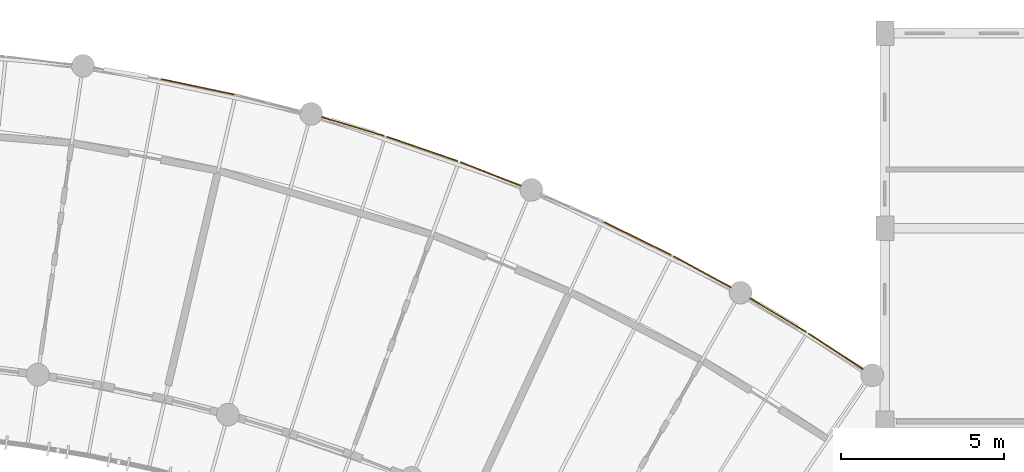
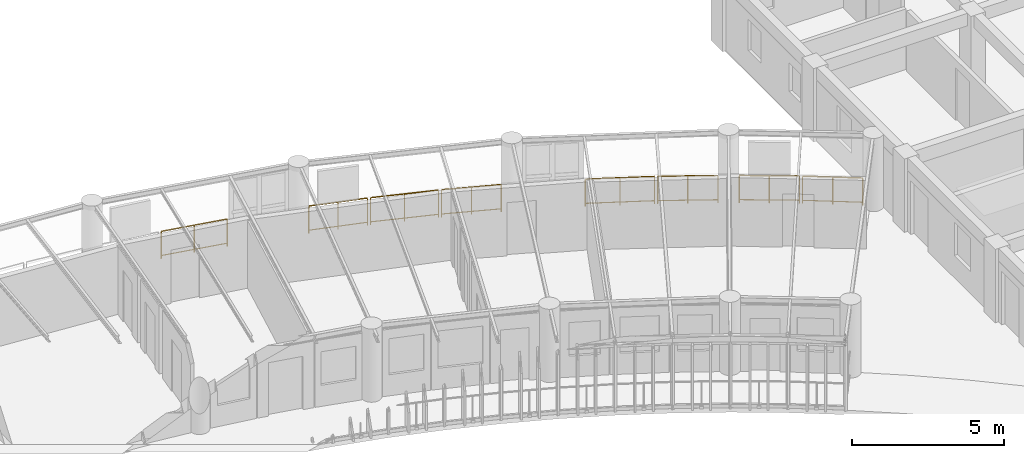
# One storey, part 123 of 123: 8 railings.
"""IFC4 building model written with IfcOpenShell, lengths in metres."""

from ifc_helpers import new_model, si_unit, direction, frame, origin, origin_2d, place, context, subcontext, project, spatial, circle, extrude, material, layer, layer_set, type_object, element, save


model = new_model("IFC4")

# Units and contexts
model_context = context("Model", 3, precision=1e-05, world=origin(), true_north=direction((0.0, 1.0)))
body_context = subcontext(model_context, "Body", "Model", "MODEL_VIEW")
ifc_project = project(units=[si_unit("LENGTHUNIT", "METRE"), si_unit("AREAUNIT", "SQUARE_METRE"), si_unit("VOLUMEUNIT", "CUBIC_METRE"), si_unit("PLANEANGLEUNIT", "RADIAN"), si_unit("MASSUNIT", "GRAM", prefix="KILO"), si_unit("POWERUNIT", "WATT"), si_unit("THERMODYNAMICTEMPERATUREUNIT", "KELVIN")], contexts=[model_context])

# Site, building, storey
site_placement = place(None, origin())
site = spatial("IfcSite", under=ifc_project, at=site_placement, CompositionType="ELEMENT")
building_placement = place(site_placement, origin())
building = spatial("IfcBuilding", under=site, at=building_placement, Name="Ruvembo Vaulted Housing Court", CompositionType="ELEMENT")
storey_placement = place(building_placement, frame((0.0, 0.0, 7.699951171875)))
storey = spatial("IfcBuildingStorey", under=building, at=storey_placement, Name="L02", CompositionType="ELEMENT", Elevation=7.699951171875)

# Railings
ifc_material = material(Name="Galvanised Painted Steel and Laminated Glass", Category="steel")
ifc_layer = layer(ifc_material, 0.070068359375, Name="Galvanised Painted Steel and Laminated Glass")
ifc_layer_set = layer_set([ifc_layer], Name="Galvanised Painted Steel and Laminated Glass")
railing_type = type_object("IfcRailingType", Name="RL-BALUST-1120", PredefinedType="BALUSTRADE", material=ifc_layer_set)
railing_1_placement = place(storey_placement, frame((127.74609375, 106.587646484375, 0.0)))
element("IfcRailing", 1, at=railing_1_placement, inside=storey, type_object=railing_type, Name="L02 Perimeter Guard RL-EXT-L02-0654", PredefinedType="BALUSTRADE", context=body_context, shape_type="SweptSolid", body=[
    extrude(circle(Radius=0.02392578125, at=origin_2d()), frame((0.0, 0.0, 1.09619140625), z_axis=(0.978529427243, -0.206107156642, 0.0), x_axis=(0.206107156642, 0.978529427243, 0.0)), (0.0, 0.0, 1.0), 2.290771484375),
    extrude(circle(Radius=0.01806640625, at=origin_2d()), frame((0.0, 0.0, 0.1201171875), z_axis=(0.978529427243, -0.206107156642, 0.0), x_axis=(0.206107156642, 0.978529427243, 0.0)), (0.0, 0.0, 1.0), 2.290771484375),
    extrude(circle(Radius=0.02099609375, at=origin_2d()), origin(), (0.0, 0.0, 1.0), 1.072021484375),
    extrude(circle(Radius=0.02099609375, at=origin_2d()), frame((1.120849609375, -0.236083984375, 0.0)), (0.0, 0.0, 1.0), 1.072021484375),
    extrude(circle(Radius=0.02099609375, at=origin_2d()), frame((2.24169921875, -0.47216796875, 0.0)), (0.0, 0.0, 1.0), 1.072021484375),
])
railing_2_placement = place(storey_placement, frame((132.68896484375, 105.415771484375, 0.0)))
element("IfcRailing", 2, at=railing_2_placement, inside=storey, type_object=railing_type, Name="L02 Perimeter Guard RL-EXT-L02-0655", PredefinedType="BALUSTRADE", context=body_context, shape_type="SweptSolid", body=[
    extrude(circle(Radius=0.02392578125, at=origin_2d()), frame((0.0, 0.0, 1.09619140625), z_axis=(0.958058843181, -0.286571549535, 0.0), x_axis=(0.286571549535, 0.958058843181, 0.0)), (0.0, 0.0, 1.0), 1.990966796875),
    extrude(circle(Radius=0.01806640625, at=origin_2d()), frame((0.0, 0.0, 0.1201171875), z_axis=(0.958058843181, -0.286571549535, 0.0), x_axis=(0.286571549535, 0.958058843181, 0.0)), (0.0, 0.0, 1.0), 1.990966796875),
    extrude(circle(Radius=0.02099609375, at=origin_2d()), origin(), (0.0, 0.0, 1.0), 1.072021484375),
    extrude(circle(Radius=0.02099609375, at=origin_2d()), frame((0.95361328125, -0.28515625, 0.0)), (0.0, 0.0, 1.0), 1.072021484375),
    extrude(circle(Radius=0.02099609375, at=origin_2d()), frame((1.907470703125, -0.570556640625, 0.0)), (0.0, 0.0, 1.0), 1.072021484375),
])
railing_3_placement = place(storey_placement, frame((134.691650390625, 104.814697265625, 0.0)))
element("IfcRailing", 3, at=railing_3_placement, inside=storey, type_object=railing_type, Name="L02 Perimeter Guard RL-EXT-L02-0656", PredefinedType="BALUSTRADE", context=body_context, shape_type="SweptSolid", body=[
    extrude(circle(Radius=0.02392578125, at=origin_2d()), frame((0.0, 0.0, 1.09619140625), z_axis=(0.945360522116, -0.326026813659, 0.0), x_axis=(0.326026813659, 0.945360522116, 0.0)), (0.0, 0.0, 1.0), 2.290771484375),
    extrude(circle(Radius=0.01806640625, at=origin_2d()), frame((0.0, 0.0, 0.1201171875), z_axis=(0.945360522116, -0.326026813659, 0.0), x_axis=(0.326026813659, 0.945360522116, 0.0)), (0.0, 0.0, 1.0), 2.290771484375),
    extrude(circle(Radius=0.02099609375, at=origin_2d()), origin(), (0.0, 0.0, 1.0), 1.072021484375),
    extrude(circle(Radius=0.02099609375, at=origin_2d()), frame((1.082763671875, -0.37353515625, 0.0)), (0.0, 0.0, 1.0), 1.072021484375),
    extrude(circle(Radius=0.02099609375, at=origin_2d()), frame((2.16552734375, -0.746826171875, 0.0)), (0.0, 0.0, 1.0), 1.072021484375),
])
railing_4_placement = place(storey_placement, frame((136.951171875, 104.033447265625, 0.0)))
element("IfcRailing", 4, at=railing_4_placement, inside=storey, type_object=railing_type, Name="L02 Perimeter Guard RL-EXT-L02-0657", PredefinedType="BALUSTRADE", context=body_context, shape_type="SweptSolid", body=[
    extrude(circle(Radius=0.02392578125, at=origin_2d()), frame((0.0, 0.0, 1.09619140625), z_axis=(0.930967477035, -0.365102118184, 0.0), x_axis=(0.365102118184, 0.930967477035, 0.0)), (0.0, 0.0, 1.0), 1.99072265625),
    extrude(circle(Radius=0.01806640625, at=origin_2d()), frame((0.0, 0.0, 0.1201171875), z_axis=(0.930967477035, -0.365102118184, 0.0), x_axis=(0.365102118184, 0.930967477035, 0.0)), (0.0, 0.0, 1.0), 1.99072265625),
    extrude(circle(Radius=0.02099609375, at=origin_2d()), origin(), (0.0, 0.0, 1.0), 1.072021484375),
    extrude(circle(Radius=0.02099609375, at=origin_2d()), frame((0.9267578125, -0.36328125, 0.0)), (0.0, 0.0, 1.0), 1.072021484375),
    extrude(circle(Radius=0.02099609375, at=origin_2d()), frame((1.853271484375, -0.726806640625, 0.0)), (0.0, 0.0, 1.0), 1.072021484375),
])
railing_5_placement = place(storey_placement, frame((141.363037109375, 102.19287109375, 0.0)))
element("IfcRailing", 5, at=railing_5_placement, inside=storey, type_object=railing_type, Name="L02 Perimeter Guard RL-EXT-L02-0658", PredefinedType="BALUSTRADE", context=body_context, shape_type="SweptSolid", body=[
    extrude(circle(Radius=0.02392578125, at=origin_2d()), frame((0.0, 0.0, 1.09619140625), z_axis=(0.897517329608, -0.440979186644, 0.0), x_axis=(0.440979186644, 0.897517329608, 0.0)), (0.0, 0.0, 1.0), 2.291015625),
    extrude(circle(Radius=0.01806640625, at=origin_2d()), frame((0.0, 0.0, 0.1201171875), z_axis=(0.897517329608, -0.440979186644, 0.0), x_axis=(0.440979186644, 0.897517329608, 0.0)), (0.0, 0.0, 1.0), 2.291015625),
    extrude(circle(Radius=0.02099609375, at=origin_2d()), origin(), (0.0, 0.0, 1.0), 1.072021484375),
    extrude(circle(Radius=0.02099609375, at=origin_2d()), frame((1.028076171875, -0.505126953125, 0.0)), (0.0, 0.0, 1.0), 1.072021484375),
    extrude(circle(Radius=0.02099609375, at=origin_2d()), frame((2.05615234375, -1.01025390625, 0.0)), (0.0, 0.0, 1.0), 1.072021484375),
])
railing_6_placement = place(storey_placement, frame((143.508056640625, 101.13671875, 0.0)))
element("IfcRailing", 6, at=railing_6_placement, inside=storey, type_object=railing_type, Name="L02 Perimeter Guard RL-EXT-L02-0659", PredefinedType="BALUSTRADE", context=body_context, shape_type="SweptSolid", body=[
    extrude(circle(Radius=0.02392578125, at=origin_2d()), frame((0.0, 0.0, 1.09619140625), z_axis=(0.878466743938, -0.477803494958, 0.0), x_axis=(0.477803494958, 0.878466743938, 0.0)), (0.0, 0.0, 1.0), 1.99072265625),
    extrude(circle(Radius=0.01806640625, at=origin_2d()), frame((0.0, 0.0, 0.1201171875), z_axis=(0.878466743938, -0.477803494958, 0.0), x_axis=(0.477803494958, 0.878466743938, 0.0)), (0.0, 0.0, 1.0), 1.99072265625),
    extrude(circle(Radius=0.02099609375, at=origin_2d()), origin(), (0.0, 0.0, 1.0), 1.072021484375),
    extrude(circle(Radius=0.02099609375, at=origin_2d()), frame((0.87451171875, -0.4755859375, 0.0)), (0.0, 0.0, 1.0), 1.072021484375),
    extrude(circle(Radius=0.02099609375, at=origin_2d()), frame((1.748779296875, -0.951171875, 0.0)), (0.0, 0.0, 1.0), 1.072021484375),
])
railing_7_placement = place(storey_placement, frame((145.86474609375, 99.838623046875, 0.0)))
element("IfcRailing", 7, at=railing_7_placement, inside=storey, type_object=railing_type, Name="L02 Perimeter Guard RL-EXT-L02-0660", PredefinedType="BALUSTRADE", context=body_context, shape_type="SweptSolid", body=[
    extrude(circle(Radius=0.02392578125, at=origin_2d()), frame((0.0, 0.0, 1.09619140625), z_axis=(0.857871436595, -0.513864377317, 0.0), x_axis=(0.513864377317, 0.857871436595, 0.0)), (0.0, 0.0, 1.0), 1.99072265625),
    extrude(circle(Radius=0.01806640625, at=origin_2d()), frame((0.0, 0.0, 0.1201171875), z_axis=(0.857871436595, -0.513864377317, 0.0), x_axis=(0.513864377317, 0.857871436595, 0.0)), (0.0, 0.0, 1.0), 1.99072265625),
    extrude(circle(Radius=0.02099609375, at=origin_2d()), origin(), (0.0, 0.0, 1.0), 1.072021484375),
    extrude(circle(Radius=0.02099609375, at=origin_2d()), frame((0.85400390625, -0.511474609375, 0.0)), (0.0, 0.0, 1.0), 1.072021484375),
    extrude(circle(Radius=0.02099609375, at=origin_2d()), frame((1.707763671875, -1.02294921875, 0.0)), (0.0, 0.0, 1.0), 1.072021484375),
])
railing_8_placement = place(storey_placement, frame((147.6572265625, 98.762451171875, 0.0)))
element("IfcRailing", 8, at=railing_8_placement, inside=storey, type_object=railing_type, Name="L02 Perimeter Guard RL-EXT-L02-0661", PredefinedType="BALUSTRADE", context=body_context, shape_type="SweptSolid", body=[
    extrude(circle(Radius=0.02392578125, at=origin_2d()), frame((0.0, 0.0, 1.09619140625), z_axis=(0.835822843762, -0.548999247582, 0.0), x_axis=(0.548999247582, 0.835822843762, 0.0)), (0.0, 0.0, 1.0), 1.990966796875),
    extrude(circle(Radius=0.01806640625, at=origin_2d()), frame((0.0, 0.0, 0.1201171875), z_axis=(0.835822843762, -0.548999247582, 0.0), x_axis=(0.548999247582, 0.835822843762, 0.0)), (0.0, 0.0, 1.0), 1.990966796875),
    extrude(circle(Radius=0.02099609375, at=origin_2d()), origin(), (0.0, 0.0, 1.0), 1.072021484375),
    extrude(circle(Radius=0.02099609375, at=origin_2d()), frame((0.83203125, -0.54638671875, 0.0)), (0.0, 0.0, 1.0), 1.072021484375),
    extrude(circle(Radius=0.02099609375, at=origin_2d()), frame((1.6640625, -1.093017578125, 0.0)), (0.0, 0.0, 1.0), 1.072021484375),
])

save(model, "model.ifc")
